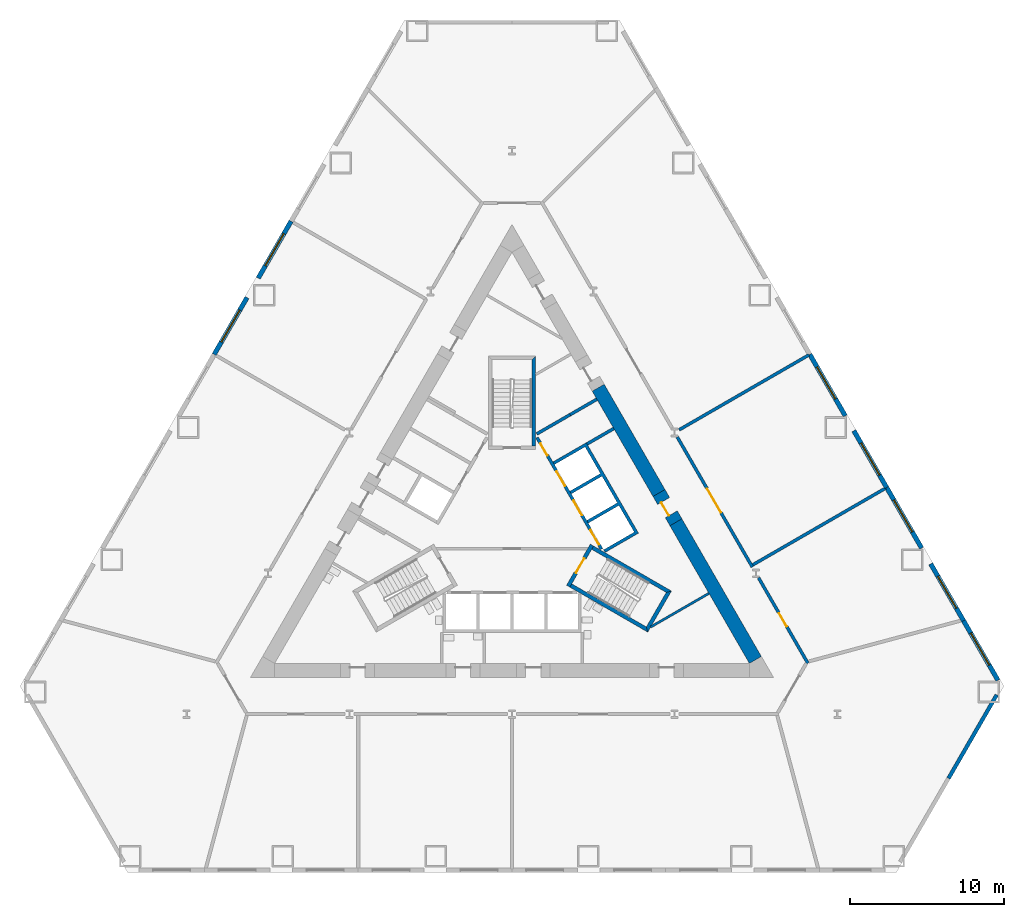
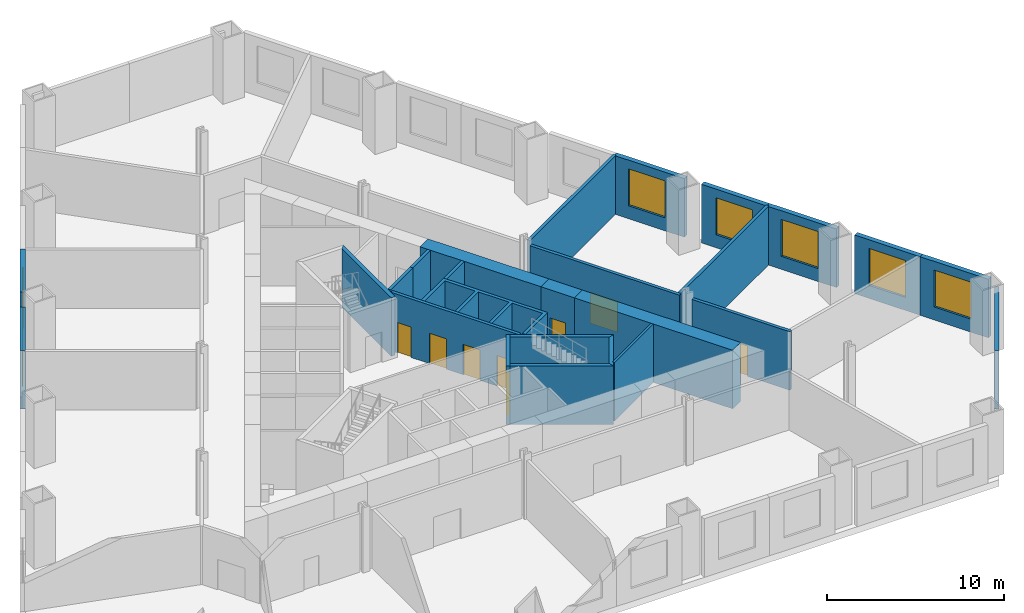
# One storey, part 4 of 8: 26 walls, 8 doors, 7 windows, 15 openings.
"""IFC4 building model written with IfcOpenShell, lengths in metres."""

from ifc_helpers import new_model, si_unit, direction, frame, frame_2d, origin, place, context, subcontext, project, spatial, polyline, rectangle, outline, extrude, material, layer, layer_set, type_object, element, fill, save


model = new_model("IFC4")

# Units and contexts
model_context = context("Model", 3, precision=1e-05, world=origin(), true_north=direction((0.0, 1.0)))
body_context = subcontext(model_context, "Body", "Model", "MODEL_VIEW")
ifc_project = project(units=[si_unit("LENGTHUNIT", "METRE"), si_unit("AREAUNIT", "SQUARE_METRE"), si_unit("VOLUMEUNIT", "CUBIC_METRE"), si_unit("PLANEANGLEUNIT", "RADIAN"), si_unit("MASSUNIT", "GRAM", prefix="KILO")], contexts=[model_context])

# Site, building, storey
site_placement = place(None, origin())
site = spatial("IfcSite", under=ifc_project, at=site_placement, CompositionType="ELEMENT")
building_placement = place(site_placement, origin())
building = spatial("IfcBuilding", under=site, at=building_placement, Name="Cormorant Prow Tower", CompositionType="ELEMENT")
storey_placement = place(building_placement, frame((0.0, 0.0, 21.0)))
storey = spatial("IfcBuildingStorey", under=building, at=storey_placement, Name="L03", CompositionType="ELEMENT", Elevation=21.0)

# Walls
ifc_material_1 = material(Name="Gypsum board partition")
ifc_layer_1 = layer(ifc_material_1, 0.14990234375)
ifc_layer_set_1 = layer_set([ifc_layer_1], Name="Gypsum board partition")
wall_type_1 = type_object("IfcWallType", Name="Core partition 150", PredefinedType="PARTITIONING", material=ifc_layer_set_1)
wall_1_placement = place(storey_placement, frame((12.81005859375, -4.357666015625, 0.0), z_axis=(0.0, 0.0, 1.0), x_axis=(-0.866043624834, -0.499968438888, 0.0)))
element("IfcWall", 1, at=wall_1_placement, inside=storey, type_object=wall_type_1, Name="Service room partition", PredefinedType="PARTITIONING", context=body_context, shape_type="SweptSolid", body=[
    extrude(rectangle(XDim=4.381591796875, YDim=0.14990234375, at=frame_2d((2.19091796875, 0.0))), origin(), (0.0, 0.0, 1.0), 4.050048828125),
])
ifc_material_2 = material(Name="Concrete 8000 psi", Category="concrete")
ifc_layer_2 = layer(ifc_material_2, 0.89990234375)
ifc_layer_set_2 = layer_set([ifc_layer_2], Name="Concrete 8000 psi")
wall_type_2 = type_object("IfcWallType", Name="Core shear wall 900", PredefinedType="SHEAR", material=ifc_layer_set_2)
wall_2_placement = place(storey_placement, frame((15.830810546875, -8.68994140625, 0.0), z_axis=(0.0, 0.0, 1.0), x_axis=(-0.500001798008, 0.866024365702, 0.0)))
element("IfcWall", 2, at=wall_2_placement, inside=storey, type_object=wall_type_2, Name="Core wall", PredefinedType="SHEAR", context=body_context, shape_type="SweptSolid", body=[
    extrude(rectangle(XDim=10.33935546875, YDim=0.89990234375, at=frame_2d((5.169677734375, 0.0))), origin(), (0.0, 0.0, 1.0), 4.050048828125),
])
wall_3_placement = place(storey_placement, frame((9.561279296875, 2.169189453125, 0.0), z_axis=(0.0, 0.0, 1.0), x_axis=(-0.499995114243, 0.866028224559, 0.0)))
element("IfcWall", 3, at=wall_3_placement, inside=storey, type_object=wall_type_2, Name="Core wall", PredefinedType="SHEAR", context=body_context, shape_type="SweptSolid", body=[
    extrude(rectangle(XDim=7.90576171875, YDim=0.89990234375, at=frame_2d((3.952880859375, 0.0))), origin(), (0.0, 0.0, 1.0), 4.050048828125),
])

# Wall, opening, door
wall_4_placement = place(storey_placement, frame((10.661376953125, 0.26416015625, 0.0), z_axis=(0.0, 0.0, 1.0), x_axis=(-0.500077893725, 0.86598042715, 0.0)))
wall_4 = element("IfcWall", 4, at=wall_4_placement, inside=storey, type_object=wall_type_2, Name="Core wall door panel", PredefinedType="SHEAR", context=body_context, shape_type="SweptSolid", body=[
    extrude(rectangle(XDim=2.199951171875, YDim=0.89990234375, at=frame_2d((1.10009765625, 0.0))), origin(), (0.0, 0.0, 1.0), 4.050048828125),
])
opening_1_placement = place(wall_4_placement, frame((0.60009765625, 0.0, 0.0)))
opening_1 = element("IfcOpeningElement", 5, at=opening_1_placement, cuts=wall_4, Name="Opening L03-C20", PredefinedType="OPENING", context=body_context, shape_type="SweptSolid", body=[
    extrude(rectangle(XDim=1.0, YDim=2.10009765625, at=frame_2d((0.5, 1.050048828125))), frame((0.0, 0.4599609375, 0.0), z_axis=(0.0, -1.0, 0.0), x_axis=(1.0, 0.0, 0.0)), (0.0, 0.0, 1.0), 0.919921875),
])
ifc_material_3 = material(Name="Painted steel", Category="steel")
door_type_1 = type_object("IfcDoorType", Name="Service door 1000x2100", OperationType="NOTDEFINED", PredefinedType="DOOR", material=ifc_material_3)
door_1_placement = place(opening_1_placement, origin())
door_1 = element("IfcDoor", 6, at=door_1_placement, inside=storey, type_object=door_type_1, Name="Core door, Pantry store", OperationType="SINGLE_SWING_RIGHT", OverallHeight=2.10009765625, OverallWidth=1.0, PredefinedType="DOOR", context=body_context, shape_type="SweptSolid", body=[
    extrude(rectangle(XDim=1.0, YDim=2.10009765625, at=frame_2d((0.5, 1.050048828125))), frame((0.0, 0.205078125, 0.0), z_axis=(0.0, -1.0, 0.0), x_axis=(1.0, 0.0, 0.0)), (0.0, 0.0, 1.0), 0.050048828125),
])
fill(opening_1, door_1)

ifc_material_4 = material(Name="Gypsum board corridor wall")
ifc_layer_3 = layer(ifc_material_4, 0.199951171875)
ifc_layer_set_3 = layer_set([ifc_layer_3], Name="Gypsum board corridor wall")
wall_type_3 = type_object("IfcWallType", Name="Corridor wall 200", PredefinedType="PARTITIONING", material=ifc_layer_set_3)
wall_5_placement = place(storey_placement, frame((10.74853515625, 5.812744140625, 0.0), z_axis=(0.0, 0.0, 1.0), x_axis=(0.500017363087, -0.866015378969, 0.0)))
wall_5 = element("IfcWall", 7, at=wall_5_placement, inside=storey, type_object=wall_type_3, Name="Corridor wall", PredefinedType="PARTITIONING", context=body_context, shape_type="SweptSolid", body=[
    extrude(rectangle(XDim=9.769775390625, YDim=0.199951171875, at=frame_2d((4.884765625, 0.0))), origin(), (0.0, 0.0, 1.0), 4.050048828125),
])
opening_2_placement = place(wall_5_placement, frame((3.8837890625, 0.0, 0.0)))
opening_2 = element("IfcOpeningElement", 8, at=opening_2_placement, cuts=wall_5, Name="Opening L03-F06", PredefinedType="OPENING", context=body_context, shape_type="SweptSolid", body=[
    extrude(rectangle(XDim=1.800048828125, YDim=2.10009765625, at=frame_2d((0.89990234375, 1.050048828125))), frame((0.0, 0.10986328125, 0.0), z_axis=(0.0, -1.0, 0.0), x_axis=(1.0, 0.0, 0.0)), (0.0, 0.0, 1.0), 0.219970703125),
])
ifc_material_5 = material(Name="Timber door leaf", Category="wood")
door_type_2 = type_object("IfcDoorType", Name="Double door 1800x2100", OperationType="DOUBLE_DOOR_SINGLE_SWING", PredefinedType="DOOR", material=ifc_material_5)
door_2_placement = place(opening_2_placement, origin())
door_2 = element("IfcDoor", 9, at=door_2_placement, inside=storey, type_object=door_type_2, Name="Weights room door", OperationType="DOUBLE_DOOR_SINGLE_SWING", OverallHeight=2.10009765625, OverallWidth=1.800048828125, PredefinedType="DOOR", context=body_context, shape_type="SweptSolid", body=[
    extrude(rectangle(XDim=1.800048828125, YDim=2.10009765625, at=frame_2d((0.89990234375, 1.050048828125))), frame((0.0, 0.02490234375, 0.0), z_axis=(0.0, -1.0, 0.0), x_axis=(1.0, 0.0, 0.0)), (0.0, 0.0, 1.0), 0.050048828125),
])
fill(opening_2, door_2)

wall_6_placement = place(storey_placement, frame((16.037841796875, -3.348388671875, 0.0), z_axis=(0.0, 0.0, 1.0), x_axis=(0.499988314375, -0.866032150378, 0.0)))
wall_6 = element("IfcWall", 10, at=wall_6_placement, inside=storey, type_object=wall_type_3, Name="Corridor wall", PredefinedType="PARTITIONING", context=body_context, shape_type="SweptSolid", body=[
    extrude(rectangle(XDim=6.412353515625, YDim=0.199951171875, at=frame_2d((3.2060546875, 0.0))), origin(), (0.0, 0.0, 1.0), 4.050048828125),
])
opening_3_placement = place(wall_6_placement, frame((2.656005859375, 0.0, 0.0)))
opening_3 = element("IfcOpeningElement", 11, at=opening_3_placement, cuts=wall_6, Name="Opening L03-F11", PredefinedType="OPENING", context=body_context, shape_type="SweptSolid", body=[
    extrude(rectangle(XDim=1.0, YDim=2.10009765625, at=frame_2d((0.5, 1.050048828125))), frame((0.0, 0.10986328125, 0.0), z_axis=(0.0, -1.0, 0.0), x_axis=(1.0, 0.0, 0.0)), (0.0, 0.0, 1.0), 0.219970703125),
])
ifc_material_6 = material(Name="Timber door leaf", Category="wood")
door_type_3 = type_object("IfcDoorType", Name="Flat or room entrance door 1000x2100", OperationType="NOTDEFINED", PredefinedType="DOOR", material=ifc_material_6)
door_3_placement = place(opening_3_placement, origin())
door_3 = element("IfcDoor", 12, at=door_3_placement, inside=storey, type_object=door_type_3, Name="Spa lounge door", OperationType="SINGLE_SWING_RIGHT", OverallHeight=2.10009765625, OverallWidth=1.0, PredefinedType="DOOR", context=body_context, shape_type="SweptSolid", body=[
    extrude(rectangle(XDim=1.0, YDim=2.10009765625, at=frame_2d((0.5, 1.050048828125))), frame((0.0, 0.02490234375, 0.0), z_axis=(0.0, -1.0, 0.0), x_axis=(1.0, 0.0, 0.0)), (0.0, 0.0, 1.0), 0.050048828125),
])
fill(opening_3, door_3)

# Walls
ifc_material_7 = material(Name="Gypsum board demising wall")
ifc_layer_4 = layer(ifc_material_7, 0.199951171875)
ifc_layer_set_4 = layer_set([ifc_layer_4], Name="Gypsum board demising wall")
wall_type_4 = type_object("IfcWallType", Name="Demising wall 200", PredefinedType="PARTITIONING", material=ifc_layer_set_4)
wall_7_placement = place(storey_placement, frame((15.6650390625, -2.502685546875, 0.0), z_axis=(0.0, 0.0, 1.0), x_axis=(0.866034070548, 0.499984988425, 0.0)))
element("IfcWall", 13, at=wall_7_placement, inside=storey, type_object=wall_type_4, Name="Demising wall", PredefinedType="PARTITIONING", context=body_context, shape_type="SweptSolid", body=[
    extrude(rectangle(XDim=9.981689453125, YDim=0.199951171875, at=frame_2d((4.99072265625, 0.0))), origin(), (0.0, 0.0, 1.0), 4.050048828125),
])
wall_8_placement = place(storey_placement, frame((10.873291015625, 6.277587890625, 0.0), z_axis=(0.0, 0.0, 1.0), x_axis=(0.866029077831, 0.499993636311, 0.0)))
element("IfcWall", 14, at=wall_8_placement, inside=storey, type_object=wall_type_4, Name="Demising wall", PredefinedType="PARTITIONING", context=body_context, shape_type="SweptSolid", body=[
    extrude(rectangle(XDim=9.741455078125, YDim=0.199951171875, at=frame_2d((4.87060546875, 0.0))), origin(), (0.0, 0.0, 1.0), 4.050048828125),
])

# Wall, openings, doors
ifc_material_8 = material(Name="Concrete 5000 psi", Category="concrete")
ifc_layer_5 = layer(ifc_material_8, 0.199951171875)
ifc_layer_set_5 = layer_set([ifc_layer_5], Name="Concrete 5000 psi")
wall_type_5 = type_object("IfcWallType", Name="Lift lobby wall 200", PredefinedType="SOLIDWALL", material=ifc_layer_set_5)
wall_9_placement = place(storey_placement, frame((5.817138671875, -1.4755859375, 0.0), z_axis=(0.0, 0.0, 1.0), x_axis=(-0.500002616675, 0.866023893041, 0.0)))
wall_9 = element("IfcWall", 15, at=wall_9_placement, inside=storey, type_object=wall_type_5, Name="Lift lobby wall, ENE block", PredefinedType="SOLIDWALL", context=body_context, shape_type="SweptSolid", body=[
    extrude(rectangle(XDim=8.373046875, YDim=0.199951171875, at=frame_2d((4.1865234375, 0.0))), origin(), (0.0, 0.0, 1.0), 4.050048828125),
])
opening_4_placement = place(wall_9_placement, frame((0.336669921875, 0.0, 0.0)))
opening_4 = element("IfcOpeningElement", 16, at=opening_4_placement, cuts=wall_9, Name="Opening L03-C05", PredefinedType="OPENING", context=body_context, shape_type="SweptSolid", body=[
    extrude(rectangle(XDim=1.10009765625, YDim=2.10009765625, at=frame_2d((0.550048828125, 1.050048828125))), frame((0.0, 0.10986328125, 0.0), z_axis=(0.0, -1.0, 0.0), x_axis=(1.0, 0.0, 0.0)), (0.0, 0.0, 1.0), 0.219970703125),
])
opening_5_placement = place(wall_9_placement, frame((2.53662109375, 0.0, 0.0)))
opening_5 = element("IfcOpeningElement", 17, at=opening_5_placement, cuts=wall_9, Name="Opening L03-C06", PredefinedType="OPENING", context=body_context, shape_type="SweptSolid", body=[
    extrude(rectangle(XDim=1.10009765625, YDim=2.10009765625, at=frame_2d((0.550048828125, 1.050048828125))), frame((0.0, 0.10986328125, 0.0), z_axis=(0.0, -1.0, 0.0), x_axis=(1.0, 0.0, 0.0)), (0.0, 0.0, 1.0), 0.219970703125),
])
opening_6_placement = place(wall_9_placement, frame((4.736572265625, 0.0, 0.0)))
opening_6 = element("IfcOpeningElement", 18, at=opening_6_placement, cuts=wall_9, Name="Opening L03-C07", PredefinedType="OPENING", context=body_context, shape_type="SweptSolid", body=[
    extrude(rectangle(XDim=1.10009765625, YDim=2.10009765625, at=frame_2d((0.550048828125, 1.050048828125))), frame((0.0, 0.10986328125, 0.0), z_axis=(0.0, -1.0, 0.0), x_axis=(1.0, 0.0, 0.0)), (0.0, 0.0, 1.0), 0.219970703125),
])
opening_7_placement = place(wall_9_placement, frame((7.03662109375, 0.0, 0.0)))
opening_7 = element("IfcOpeningElement", 19, at=opening_7_placement, cuts=wall_9, Name="Opening L03-C08", PredefinedType="OPENING", context=body_context, shape_type="SweptSolid", body=[
    extrude(rectangle(XDim=0.89990234375, YDim=2.10009765625, at=frame_2d((0.449951171875, 1.050048828125))), frame((0.0, 0.10986328125, 0.0), z_axis=(0.0, -1.0, 0.0), x_axis=(1.0, 0.0, 0.0)), (0.0, 0.0, 1.0), 0.219970703125),
])
ifc_material_9 = material(Name="Painted steel", Category="steel")
door_type_4 = type_object("IfcDoorType", Name="Lift landing door 1100x2100", OperationType="SLIDING_TO_LEFT", PredefinedType="DOOR", material=ifc_material_9)
door_4_placement = place(opening_4_placement, origin())
door_4 = element("IfcDoor", 20, at=door_4_placement, inside=storey, type_object=door_type_4, Name="Landing door LR2", OperationType="SLIDING_TO_LEFT", OverallHeight=2.10009765625, OverallWidth=1.10009765625, PredefinedType="DOOR", context=body_context, shape_type="SweptSolid", body=[
    extrude(rectangle(XDim=1.10009765625, YDim=2.10009765625, at=frame_2d((0.550048828125, 1.050048828125))), frame((0.0, 0.02490234375, 0.0), z_axis=(0.0, -1.0, 0.0), x_axis=(1.0, 0.0, 0.0)), (0.0, 0.0, 1.0), 0.050048828125),
])
fill(opening_4, door_4)
door_5_placement = place(opening_5_placement, origin())
door_5 = element("IfcDoor", 21, at=door_5_placement, inside=storey, type_object=door_type_4, Name="Landing door LR3", OperationType="SLIDING_TO_LEFT", OverallHeight=2.10009765625, OverallWidth=1.10009765625, PredefinedType="DOOR", context=body_context, shape_type="SweptSolid", body=[
    extrude(rectangle(XDim=1.10009765625, YDim=2.10009765625, at=frame_2d((0.550048828125, 1.050048828125))), frame((0.0, 0.02490234375, 0.0), z_axis=(0.0, -1.0, 0.0), x_axis=(1.0, 0.0, 0.0)), (0.0, 0.0, 1.0), 0.050048828125),
])
fill(opening_5, door_5)
door_6_placement = place(opening_6_placement, origin())
door_6 = element("IfcDoor", 22, at=door_6_placement, inside=storey, type_object=door_type_4, Name="Landing door LR4", OperationType="SLIDING_TO_LEFT", OverallHeight=2.10009765625, OverallWidth=1.10009765625, PredefinedType="DOOR", context=body_context, shape_type="SweptSolid", body=[
    extrude(rectangle(XDim=1.10009765625, YDim=2.10009765625, at=frame_2d((0.550048828125, 1.050048828125))), frame((0.0, 0.02490234375, 0.0), z_axis=(0.0, -1.0, 0.0), x_axis=(1.0, 0.0, 0.0)), (0.0, 0.0, 1.0), 0.050048828125),
])
fill(opening_6, door_6)
ifc_material_10 = material(Name="Painted steel", Category="steel")
door_type_5 = type_object("IfcDoorType", Name="Service door 900x2100", OperationType="NOTDEFINED", PredefinedType="DOOR", material=ifc_material_10)
door_7_placement = place(opening_7_placement, origin())
door_7 = element("IfcDoor", 23, at=door_7_placement, inside=storey, type_object=door_type_5, Name="Service door, Refuse store", OperationType="SINGLE_SWING_RIGHT", OverallHeight=2.10009765625, OverallWidth=0.89990234375, PredefinedType="DOOR", context=body_context, shape_type="SweptSolid", body=[
    extrude(rectangle(XDim=0.89990234375, YDim=2.10009765625, at=frame_2d((0.449951171875, 1.050048828125))), frame((0.0, 0.02490234375, 0.0), z_axis=(0.0, -1.0, 0.0), x_axis=(1.0, 0.0, 0.0)), (0.0, 0.0, 1.0), 0.050048828125),
])
fill(opening_7, door_7)

# Walls
ifc_material_11 = material(Name="Concrete 8000 psi", Category="concrete")
ifc_layer_6 = layer(ifc_material_11, 0.199951171875)
ifc_layer_set_6 = layer_set([ifc_layer_6], Name="Concrete 8000 psi")
wall_type_6 = type_object("IfcWallType", Name="Lift shaft wall 200", PredefinedType="SHEAR", material=ifc_layer_set_6)
wall_10_placement = place(storey_placement, origin())
element("IfcWall", 24, at=wall_10_placement, inside=storey, type_object=wall_type_6, Name="Lift shaft walls, ENE block", PredefinedType="SHEAR", context=body_context, shape_type="SweptSolid", body=[
    extrude(outline(polyline([(1.560546875, 6.09716796875), (3.730712890625, 7.35009765625), (3.830810546875, 7.177001953125), (1.660400390625, 5.923828125), (1.560546875, 6.09716796875)])), origin(), (0.0, 0.0, 1.0), 4.050048828125),
])
wall_11_placement = place(storey_placement, origin())
element("IfcWall", 25, at=wall_11_placement, inside=storey, type_object=wall_type_6, Name="Lift shaft walls, ENE block", PredefinedType="SHEAR", context=body_context, shape_type="SweptSolid", body=[
    extrude(outline(polyline([(2.660400390625, 4.19189453125), (4.830810546875, 5.44482421875), (8.230712890625, -0.444091796875), (6.060546875, -1.697021484375), (5.96044921875, -1.52392578125), (7.952392578125, -0.373779296875), (6.952392578125, 1.358154296875), (4.96044921875, 0.2080078125), (4.860595703125, 0.38134765625), (6.852294921875, 1.53125), (5.852294921875, 3.263427734375), (3.860595703125, 2.11328125), (3.760498046875, 2.28662109375), (5.75244140625, 3.4365234375), (4.75244140625, 5.168701171875), (2.760498046875, 4.018798828125), (2.660400390625, 4.19189453125)])), origin(), (0.0, 0.0, 1.0), 4.050048828125),
])
wall_12_placement = place(storey_placement, frame((4.880859375, 5.3583984375, 0.0), z_axis=(0.0, 0.0, 1.0), x_axis=(0.866035824272, 0.499981950752, 0.0)))
element("IfcWall", 26, at=wall_12_placement, inside=storey, type_object=wall_type_6, Name="Store side wall", PredefinedType="SHEAR", context=body_context, shape_type="SweptSolid", body=[
    extrude(rectangle(XDim=2.0087890625, YDim=0.199951171875, at=frame_2d((1.00439453125, 0.0))), origin(), (0.0, 0.0, 1.0), 4.050048828125),
])
wall_13_placement = place(storey_placement, frame((3.78076171875, 7.263427734375, 0.0), z_axis=(0.0, 0.0, 1.0), x_axis=(0.865983199114, 0.50007309351, 0.0)))
element("IfcWall", 27, at=wall_13_placement, inside=storey, type_object=wall_type_6, Name="Store side wall", PredefinedType="SHEAR", context=body_context, shape_type="SweptSolid", body=[
    extrude(rectangle(XDim=2.009033203125, YDim=0.199951171875, at=frame_2d((1.00439453125, 0.0))), origin(), (0.0, 0.0, 1.0), 4.050048828125),
])
ifc_material_12 = material(Name="Concrete 8000 psi", Category="concrete")
ifc_layer_7 = layer(ifc_material_12, 0.25)
ifc_layer_set_7 = layer_set([ifc_layer_7], Name="Concrete 8000 psi")
wall_type_7 = type_object("IfcWallType", Name="Stair wall 250", PredefinedType="SHEAR", material=ifc_layer_set_7)
wall_14_placement = place(storey_placement, origin())
element("IfcWall", 28, at=wall_14_placement, inside=storey, type_object=wall_type_7, Name="Stair ST2 enclosure wall (flank)", PredefinedType="SHEAR", context=body_context, shape_type="SweptSolid", body=[
    extrude(outline(polyline([(3.76318359375, -3.95556640625), (8.82958984375, -6.880615234375), (8.738037109375, -6.5390625), (3.88818359375, -3.739013671875), (3.76318359375, -3.95556640625)])), origin(), (0.0, 0.0, 1.0), 4.050048828125),
])
wall_15_placement = place(storey_placement, origin())
element("IfcWall", 29, at=wall_15_placement, inside=storey, type_object=wall_type_7, Name="Stair ST2 enclosure wall (end)", PredefinedType="SHEAR", context=body_context, shape_type="SweptSolid", body=[
    extrude(outline(polyline([(8.82958984375, -6.880615234375), (10.37353515625, -4.206298828125), (10.031982421875, -4.2978515625), (8.738037109375, -6.5390625), (8.82958984375, -6.880615234375)])), origin(), (0.0, 0.0, 1.0), 4.050048828125),
])
wall_16_placement = place(storey_placement, origin())
element("IfcWall", 30, at=wall_16_placement, inside=storey, type_object=wall_type_7, Name="Stair ST2 enclosure wall (flank)", PredefinedType="SHEAR", context=body_context, shape_type="SweptSolid", body=[
    extrude(outline(polyline([(10.031982421875, -4.2978515625), (10.37353515625, -4.206298828125), (5.30712890625, -1.28125), (5.18212890625, -1.497802734375), (10.031982421875, -4.2978515625)])), origin(), (0.0, 0.0, 1.0), 4.050048828125),
])

# Wall, opening, door
wall_17_placement = place(storey_placement, frame((3.655029296875, -3.89306640625, 0.0), z_axis=(0.0, 0.0, 1.0), x_axis=(0.499982516597, 0.866035497597, 0.0)))
wall_17 = element("IfcWall", 31, at=wall_17_placement, inside=storey, type_object=wall_type_7, Name="Stair ST2 door wall", PredefinedType="SHEAR", context=body_context, shape_type="SweptSolid", body=[
    extrude(rectangle(XDim=3.087890625, YDim=0.25, at=frame_2d((1.5439453125, 0.0))), origin(), (0.0, 0.0, 1.0), 4.050048828125),
])
opening_8_placement = place(wall_17_placement, frame((0.993896484375, 0.0, 0.0)))
opening_8 = element("IfcOpeningElement", 32, at=opening_8_placement, cuts=wall_17, Name="Opening L03-C13", PredefinedType="OPENING", context=body_context, shape_type="SweptSolid", body=[
    extrude(rectangle(XDim=1.10009765625, YDim=2.10009765625, at=frame_2d((0.550048828125, 1.050048828125))), frame((0.0, 0.135009765625, 0.0), z_axis=(0.0, -1.0, 0.0), x_axis=(1.0, 0.0, 0.0)), (0.0, 0.0, 1.0), 0.27001953125),
])
ifc_material_13 = material(Name="Painted steel", Category="steel")
door_type_6 = type_object("IfcDoorType", Name="Stair door 1100x2100", OperationType="NOTDEFINED", PredefinedType="DOOR", material=ifc_material_13)
door_8_placement = place(opening_8_placement, origin())
door_8 = element("IfcDoor", 33, at=door_8_placement, inside=storey, type_object=door_type_6, Name="Stair ST2 door", OperationType="SINGLE_SWING_RIGHT", OverallHeight=2.10009765625, OverallWidth=1.10009765625, PredefinedType="DOOR", context=body_context, shape_type="SweptSolid", body=[
    extrude(rectangle(XDim=1.10009765625, YDim=2.10009765625, at=frame_2d((0.550048828125, 1.050048828125))), frame((0.0, 0.02490234375, 0.0), z_axis=(0.0, -1.0, 0.0), x_axis=(1.0, 0.0, 0.0)), (0.0, 0.0, 1.0), 0.050048828125),
])
fill(opening_8, door_8)

# Walls
wall_18_placement = place(storey_placement, origin())
element("IfcWall", 34, at=wall_18_placement, inside=storey, type_object=wall_type_7, Name="Stair ST3 enclosure wall (flank)", PredefinedType="SHEAR", context=body_context, shape_type="SweptSolid", body=[
    extrude(outline(polyline([(1.5439453125, 5.23681640625), (1.5439453125, 11.0869140625), (1.2939453125, 10.8369140625), (1.2939453125, 5.23681640625), (1.5439453125, 5.23681640625)])), origin(), (0.0, 0.0, 1.0), 4.050048828125),
])
ifc_material_14 = material(Name="Terracotta", Category="masonry")
ifc_layer_8 = layer(ifc_material_14, 0.25)
ifc_layer_set_8 = layer_set([ifc_layer_8], Name="Terracotta")
wall_type_8 = type_object("IfcWallType", Name="Terracotta bay wall 250", PredefinedType="SOLIDWALL", material=ifc_layer_set_8)
wall_19_placement = place(storey_placement, frame((28.391845703125, -16.39208984375, 0.0), z_axis=(0.0, 0.0, 1.0), x_axis=(0.499987597971, 0.866032563981, 0.0)))
element("IfcWall", 35, at=wall_19_placement, inside=storey, type_object=wall_type_8, Name="Terracotta bay wall ESE01", PredefinedType="SOLIDWALL", context=body_context, shape_type="SweptSolid", body=[
    extrude(rectangle(XDim=6.270263671875, YDim=0.25, at=frame_2d((3.13525390625, 0.0))), origin(), (0.0, 0.0, 1.0), 4.050048828125),
])

# Wall, opening, window
ifc_material_15 = material(Name="Terracotta", Category="masonry")
ifc_layer_9 = layer(ifc_material_15, 0.300048828125)
ifc_layer_set_9 = layer_set([ifc_layer_9], Name="Terracotta")
wall_type_9 = type_object("IfcWallType", Name="Terracotta podium cladding wall 300", PredefinedType="SOLIDWALL", material=ifc_layer_set_9)
wall_20_placement = place(storey_placement, frame((31.608154296875, -10.013671875, 0.0), z_axis=(0.0, 0.0, 1.0), x_axis=(-0.49999314502, 0.866029361473, 0.0)))
wall_20 = element("IfcWall", 36, at=wall_20_placement, inside=storey, type_object=wall_type_9, Name="Terracotta podium wall ENE00", PredefinedType="SOLIDWALL", context=body_context, shape_type="SweptSolid", body=[
    extrude(rectangle(XDim=4.47607421875, YDim=0.300048828125, at=frame_2d((2.238037109375, 0.0))), origin(), (0.0, 0.0, 1.0), 4.050048828125),
])
opening_9_placement = place(wall_20_placement, frame((1.141357421875, 0.0, 0.89990234375)))
opening_9 = element("IfcOpeningElement", 37, at=opening_9_placement, cuts=wall_20, Name="Opening WN22", PredefinedType="OPENING", context=body_context, shape_type="SweptSolid", body=[
    extrude(rectangle(XDim=2.39990234375, YDim=2.550048828125, at=frame_2d((1.199951171875, 1.27490234375))), frame((0.0, 0.159912109375, 0.0), z_axis=(0.0, -1.0, 0.0), x_axis=(1.0, 0.0, 0.0)), (0.0, 0.0, 1.0), 0.320068359375),
])
ifc_material_16 = material(Name="Aluminium 6063-T6", Category="aluminium")
window_type = type_object("IfcWindowType", Name="Podium window 2400x2550", PartitioningType="SINGLE_PANEL", PredefinedType="WINDOW", material=ifc_material_16)
window_1_placement = place(opening_9_placement, origin())
window_1 = element("IfcWindow", 38, at=window_1_placement, inside=storey, type_object=window_type, Name="Podium window ENE00", OverallHeight=2.550048828125, OverallWidth=2.39990234375, PartitioningType="SINGLE_PANEL", PredefinedType="WINDOW", context=body_context, shape_type="SweptSolid", body=[
    extrude(rectangle(XDim=2.39990234375, YDim=2.550048828125, at=frame_2d((1.199951171875, 1.27490234375))), frame((0.0, 0.030029296875, 0.0), z_axis=(0.0, -1.0, 0.0), x_axis=(1.0, 0.0, 0.0)), (0.0, 0.0, 1.0), 0.06005859375),
])
fill(opening_9, window_1)

wall_21_placement = place(storey_placement, frame((29.3701171875, -6.13720703125, 0.0), z_axis=(0.0, 0.0, 1.0), x_axis=(-0.499994660107, 0.866028486751, 0.0)))
wall_21 = element("IfcWall", 39, at=wall_21_placement, inside=storey, type_object=wall_type_9, Name="Terracotta podium wall ENE01", PredefinedType="SOLIDWALL", context=body_context, shape_type="SweptSolid", body=[
    extrude(rectangle(XDim=4.27001953125, YDim=0.300048828125, at=frame_2d((2.135009765625, 0.0))), origin(), (0.0, 0.0, 1.0), 4.050048828125),
])
opening_10_placement = place(wall_21_placement, frame((0.93505859375, 0.0, 0.89990234375)))
opening_10 = element("IfcOpeningElement", 40, at=opening_10_placement, cuts=wall_21, Name="Opening WN22", PredefinedType="OPENING", context=body_context, shape_type="SweptSolid", body=[
    extrude(rectangle(XDim=2.39990234375, YDim=2.550048828125, at=frame_2d((1.199951171875, 1.27490234375))), frame((0.0, 0.159912109375, 0.0), z_axis=(0.0, -1.0, 0.0), x_axis=(1.0, 0.0, 0.0)), (0.0, 0.0, 1.0), 0.320068359375),
])
window_2_placement = place(opening_10_placement, origin())
window_2 = element("IfcWindow", 41, at=window_2_placement, inside=storey, type_object=window_type, Name="Podium window ENE01", OverallHeight=2.550048828125, OverallWidth=2.39990234375, PartitioningType="SINGLE_PANEL", PredefinedType="WINDOW", context=body_context, shape_type="SweptSolid", body=[
    extrude(rectangle(XDim=2.39990234375, YDim=2.550048828125, at=frame_2d((1.199951171875, 1.27490234375))), frame((0.0, 0.030029296875, 0.0), z_axis=(0.0, -1.0, 0.0), x_axis=(1.0, 0.0, 0.0)), (0.0, 0.0, 1.0), 0.06005859375),
])
fill(opening_10, window_2)

wall_22_placement = place(storey_placement, frame((26.64208984375, -1.412353515625, 0.0), z_axis=(0.0, 0.0, 1.0), x_axis=(-0.499964285679, 0.866046022475, 0.0)))
wall_22 = element("IfcWall", 42, at=wall_22_placement, inside=storey, type_object=wall_type_9, Name="Terracotta podium wall ENE02", PredefinedType="SOLIDWALL", context=body_context, shape_type="SweptSolid", body=[
    extrude(rectangle(XDim=4.544189453125, YDim=0.300048828125, at=frame_2d((2.27197265625, 0.0))), origin(), (0.0, 0.0, 1.0), 4.050048828125),
])
opening_11_placement = place(wall_22_placement, frame((1.209228515625, 0.0, 0.89990234375)))
opening_11 = element("IfcOpeningElement", 43, at=opening_11_placement, cuts=wall_22, Name="Opening WN22", PredefinedType="OPENING", context=body_context, shape_type="SweptSolid", body=[
    extrude(rectangle(XDim=2.39990234375, YDim=2.550048828125, at=frame_2d((1.199951171875, 1.27490234375))), frame((0.0, 0.159912109375, 0.0), z_axis=(0.0, -1.0, 0.0), x_axis=(1.0, 0.0, 0.0)), (0.0, 0.0, 1.0), 0.320068359375),
])
window_3_placement = place(opening_11_placement, origin())
window_3 = element("IfcWindow", 44, at=window_3_placement, inside=storey, type_object=window_type, Name="Podium window ENE02", OverallHeight=2.550048828125, OverallWidth=2.39990234375, PartitioningType="SINGLE_PANEL", PredefinedType="WINDOW", context=body_context, shape_type="SweptSolid", body=[
    extrude(rectangle(XDim=2.39990234375, YDim=2.550048828125, at=frame_2d((1.199951171875, 1.27490234375))), frame((0.0, 0.030029296875, 0.0), z_axis=(0.0, -1.0, 0.0), x_axis=(1.0, 0.0, 0.0)), (0.0, 0.0, 1.0), 0.06005859375),
])
fill(opening_11, window_3)

wall_23_placement = place(storey_placement, frame((24.3701171875, 2.523193359375, 0.0), z_axis=(0.0, 0.0, 1.0), x_axis=(-0.500019418418, 0.866014192265, 0.0)))
wall_23 = element("IfcWall", 45, at=wall_23_placement, inside=storey, type_object=wall_type_9, Name="Terracotta podium wall ENE03", PredefinedType="SOLIDWALL", context=body_context, shape_type="SweptSolid", body=[
    extrude(rectangle(XDim=4.269775390625, YDim=0.300048828125, at=frame_2d((2.134765625, 0.0))), origin(), (0.0, 0.0, 1.0), 4.050048828125),
])
opening_12_placement = place(wall_23_placement, frame((0.93505859375, 0.0, 0.89990234375)))
opening_12 = element("IfcOpeningElement", 46, at=opening_12_placement, cuts=wall_23, Name="Opening WN22", PredefinedType="OPENING", context=body_context, shape_type="SweptSolid", body=[
    extrude(rectangle(XDim=2.39990234375, YDim=2.550048828125, at=frame_2d((1.199951171875, 1.27490234375))), frame((0.0, 0.159912109375, 0.0), z_axis=(0.0, -1.0, 0.0), x_axis=(1.0, 0.0, 0.0)), (0.0, 0.0, 1.0), 0.320068359375),
])
window_4_placement = place(opening_12_placement, origin())
window_4 = element("IfcWindow", 47, at=window_4_placement, inside=storey, type_object=window_type, Name="Podium window ENE03", OverallHeight=2.550048828125, OverallWidth=2.39990234375, PartitioningType="SINGLE_PANEL", PredefinedType="WINDOW", context=body_context, shape_type="SweptSolid", body=[
    extrude(rectangle(XDim=2.39990234375, YDim=2.550048828125, at=frame_2d((1.199951171875, 1.27490234375))), frame((0.0, 0.030029296875, 0.0), z_axis=(0.0, -1.0, 0.0), x_axis=(1.0, 0.0, 0.0)), (0.0, 0.0, 1.0), 0.06005859375),
])
fill(opening_12, window_4)

wall_24_placement = place(storey_placement, frame((21.676025390625, 7.189208984375, 0.0), z_axis=(0.0, 0.0, 1.0), x_axis=(-0.499982117899, 0.866035727774, 0.0)))
wall_24 = element("IfcWall", 48, at=wall_24_placement, inside=storey, type_object=wall_type_9, Name="Terracotta podium wall ENE04", PredefinedType="SOLIDWALL", context=body_context, shape_type="SweptSolid", body=[
    extrude(rectangle(XDim=4.612060546875, YDim=0.300048828125, at=frame_2d((2.30615234375, 0.0))), origin(), (0.0, 0.0, 1.0), 4.050048828125),
])
opening_13_placement = place(wall_24_placement, frame((1.277099609375, 0.0, 0.89990234375)))
opening_13 = element("IfcOpeningElement", 49, at=opening_13_placement, cuts=wall_24, Name="Opening WN22", PredefinedType="OPENING", context=body_context, shape_type="SweptSolid", body=[
    extrude(rectangle(XDim=2.39990234375, YDim=2.550048828125, at=frame_2d((1.199951171875, 1.27490234375))), frame((0.0, 0.159912109375, 0.0), z_axis=(0.0, -1.0, 0.0), x_axis=(1.0, 0.0, 0.0)), (0.0, 0.0, 1.0), 0.320068359375),
])
window_5_placement = place(opening_13_placement, origin())
window_5 = element("IfcWindow", 50, at=window_5_placement, inside=storey, type_object=window_type, Name="Podium window ENE04", OverallHeight=2.550048828125, OverallWidth=2.39990234375, PartitioningType="SINGLE_PANEL", PredefinedType="WINDOW", context=body_context, shape_type="SweptSolid", body=[
    extrude(rectangle(XDim=2.39990234375, YDim=2.550048828125, at=frame_2d((1.199951171875, 1.27490234375))), frame((0.0, 0.030029296875, 0.0), z_axis=(0.0, -1.0, 0.0), x_axis=(1.0, 0.0, 0.0)), (0.0, 0.0, 1.0), 0.06005859375),
])
fill(opening_13, window_5)

wall_25_placement = place(storey_placement, frame((-14.3701171875, 19.843505859375, 0.0), z_axis=(0.0, 0.0, 1.0), x_axis=(-0.500019418418, -0.866014192265, 0.0)))
wall_25 = element("IfcWall", 51, at=wall_25_placement, inside=storey, type_object=wall_type_9, Name="Terracotta podium wall WNW03", PredefinedType="SOLIDWALL", context=body_context, shape_type="SweptSolid", body=[
    extrude(rectangle(XDim=4.269775390625, YDim=0.300048828125, at=frame_2d((2.134765625, 0.0))), origin(), (0.0, 0.0, 1.0), 4.050048828125),
])
opening_14_placement = place(wall_25_placement, frame((0.93505859375, 0.0, 0.89990234375)))
opening_14 = element("IfcOpeningElement", 52, at=opening_14_placement, cuts=wall_25, Name="Opening WN22", PredefinedType="OPENING", context=body_context, shape_type="SweptSolid", body=[
    extrude(rectangle(XDim=2.39990234375, YDim=2.550048828125, at=frame_2d((1.199951171875, 1.27490234375))), frame((0.0, 0.159912109375, 0.0), z_axis=(0.0, -1.0, 0.0), x_axis=(1.0, 0.0, 0.0)), (0.0, 0.0, 1.0), 0.320068359375),
])
window_6_placement = place(opening_14_placement, origin())
window_6 = element("IfcWindow", 53, at=window_6_placement, inside=storey, type_object=window_type, Name="Podium window WNW03", OverallHeight=2.550048828125, OverallWidth=2.39990234375, PartitioningType="SINGLE_PANEL", PredefinedType="WINDOW", context=body_context, shape_type="SweptSolid", body=[
    extrude(rectangle(XDim=2.39990234375, YDim=2.550048828125, at=frame_2d((1.199951171875, 1.27490234375))), frame((0.0, 0.030029296875, 0.0), z_axis=(0.0, -1.0, 0.0), x_axis=(1.0, 0.0, 0.0)), (0.0, 0.0, 1.0), 0.06005859375),
])
fill(opening_14, window_6)

wall_26_placement = place(storey_placement, frame((-17.235107421875, 14.88134765625, 0.0), z_axis=(0.0, 0.0, 1.0), x_axis=(-0.499994660107, -0.866028486751, 0.0)))
wall_26 = element("IfcWall", 54, at=wall_26_placement, inside=storey, type_object=wall_type_9, Name="Terracotta podium wall WNW04", PredefinedType="SOLIDWALL", context=body_context, shape_type="SweptSolid", body=[
    extrude(rectangle(XDim=4.27001953125, YDim=0.300048828125, at=frame_2d((2.135009765625, 0.0))), origin(), (0.0, 0.0, 1.0), 4.050048828125),
])
opening_15_placement = place(wall_26_placement, frame((0.93505859375, 0.0, 0.89990234375)))
opening_15 = element("IfcOpeningElement", 55, at=opening_15_placement, cuts=wall_26, Name="Opening WN22", PredefinedType="OPENING", context=body_context, shape_type="SweptSolid", body=[
    extrude(rectangle(XDim=2.39990234375, YDim=2.550048828125, at=frame_2d((1.199951171875, 1.27490234375))), frame((0.0, 0.159912109375, 0.0), z_axis=(0.0, -1.0, 0.0), x_axis=(1.0, 0.0, 0.0)), (0.0, 0.0, 1.0), 0.320068359375),
])
window_7_placement = place(opening_15_placement, origin())
window_7 = element("IfcWindow", 56, at=window_7_placement, inside=storey, type_object=window_type, Name="Podium window WNW04", OverallHeight=2.550048828125, OverallWidth=2.39990234375, PartitioningType="SINGLE_PANEL", PredefinedType="WINDOW", context=body_context, shape_type="SweptSolid", body=[
    extrude(rectangle(XDim=2.39990234375, YDim=2.550048828125, at=frame_2d((1.199951171875, 1.27490234375))), frame((0.0, 0.030029296875, 0.0), z_axis=(0.0, -1.0, 0.0), x_axis=(1.0, 0.0, 0.0)), (0.0, 0.0, 1.0), 0.06005859375),
])
fill(opening_15, window_7)

save(model, "model.ifc")
